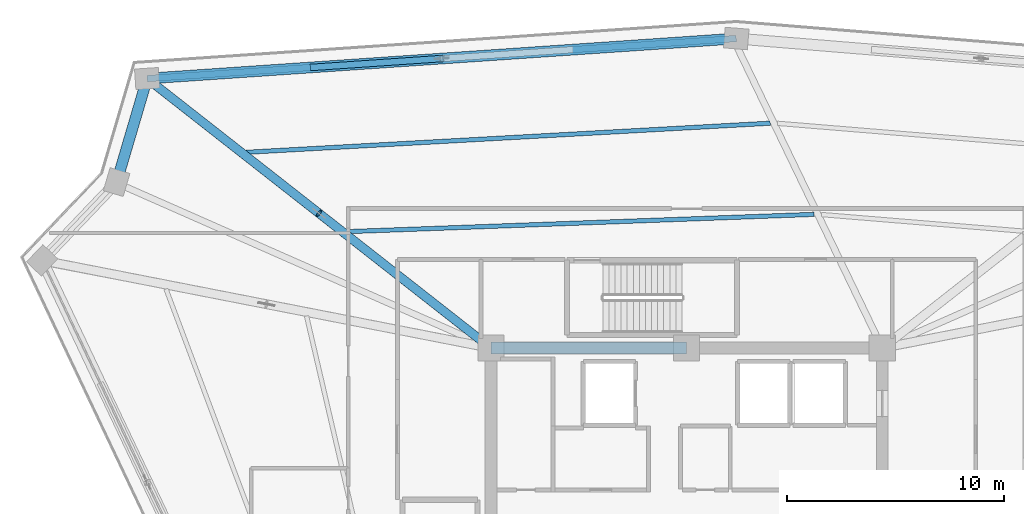
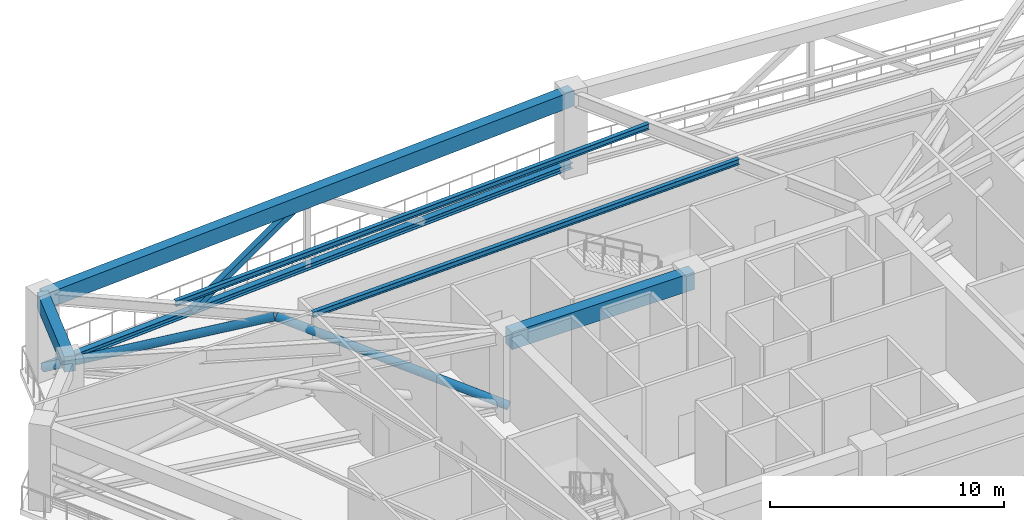
# One storey, part 7 of 22: 5 beams, 4 members.
"""IFC4 building model written with IfcOpenShell, lengths in metres."""

from ifc_helpers import new_model, si_unit, direction, frame, origin, origin_2d, place, context, subcontext, project, spatial, rectangle, hollow_rectangle, hollow_circle, i_section, extrude, source, transform, mapped, material, material_profile, profile_set, type_object, element, save


model = new_model("IFC4")

# Units and contexts
model_context = context("Model", 3, precision=1e-05, world=origin(), true_north=direction((0.0, 1.0)))
body_context = subcontext(model_context, "Body", "Model", "MODEL_VIEW")
ifc_project = project(units=[si_unit("LENGTHUNIT", "METRE"), si_unit("AREAUNIT", "SQUARE_METRE"), si_unit("VOLUMEUNIT", "CUBIC_METRE"), si_unit("PLANEANGLEUNIT", "RADIAN"), si_unit("MASSUNIT", "GRAM", prefix="KILO")], contexts=[model_context])

# Site, building, storey
site_placement = place(None, origin())
site = spatial("IfcSite", under=ifc_project, at=site_placement, CompositionType="ELEMENT")
building_placement = place(site_placement, origin())
building = spatial("IfcBuilding", under=site, at=building_placement, Name="Liaohun Quay Tower", CompositionType="ELEMENT")
storey_placement = place(building_placement, frame((0.0, 0.0, 324.0)))
storey = spatial("IfcBuildingStorey", under=building, at=storey_placement, Name="L84", CompositionType="ELEMENT", Elevation=324.0)

# Beams
ifc_material_1 = material(Name="Concrete C55", Category="concrete")
ifc_material_profile_1 = material_profile(ifc_material_1, rectangle(XDim=0.550048828125, YDim=0.89990234375, at=origin_2d()), Name="RC550x900")
ifc_profile_set_1 = profile_set([ifc_material_profile_1], Name="Concrete C55")
beam_type_1 = type_object("IfcBeamType", Name="BM-CPL-2", PredefinedType="LINTEL", material=ifc_profile_set_1)
shared_shape_1 = source(origin(), body_context, "Body", "SweptSolid", [
    extrude(rectangle(XDim=0.550048828125, YDim=0.89990234375, at=origin_2d()), origin(), (0.0, 0.0, 1.0), 9.0),
])
beam_1_placement = place(storey_placement, frame((60.0, 61.5, 3.8701171875), z_axis=(-1.0, 0.0, 0.0), x_axis=(0.0, -1.0, 0.0)))
element("IfcBeam", 1, at=beam_1_placement, inside=storey, type_object=beam_type_1, Name="L84 Core Coupling/Ring Beam CC5-CC6", PredefinedType="LINTEL", context=body_context, shape_type="MappedRepresentation", body=[
    mapped(shared_shape_1, transform((0.0, 0.0, 0.0), x_axis=(1.0, 0.0, 0.0), y_axis=(0.0, 1.0, 0.0), z_axis=(0.0, 0.0, 1.0), scale=1.0)),
])
ifc_material_2 = material(Name="Precast concrete C50", Category="concrete")
ifc_material_profile_2 = material_profile(ifc_material_2, rectangle(XDim=0.5, YDim=0.800048828125, at=origin_2d()), Name="RC500x800")
ifc_profile_set_2 = profile_set([ifc_material_profile_2], Name="Precast concrete C50")
beam_type_2 = type_object("IfcBeamType", Name="BM-SPD-Z4", PredefinedType="SPANDREL", material=ifc_profile_set_2)
shared_shape_2 = source(origin(), body_context, "Body", "SweptSolid", [
    extrude(rectangle(XDim=0.5, YDim=0.800048828125, at=origin_2d()), origin(), (0.0, 0.0, 1.0), 4.961669921875),
])
beam_2_placement = place(storey_placement, frame((33.7900390625, 69.132080078125, 3.919921875), z_axis=(0.282789650998, 0.959181950043, 0.0), x_axis=(-0.959181950043, 0.282789650998, 0.0)))
element("IfcBeam", 2, at=beam_2_placement, inside=storey, type_object=beam_type_2, Name="L84 Precast Spandrel Beam PC04-PC05", PredefinedType="SPANDREL", context=body_context, shape_type="MappedRepresentation", body=[
    mapped(shared_shape_2, transform((0.0, 0.0, 0.0), x_axis=(1.0, 0.0, 0.0), y_axis=(0.0, 1.0, 0.0), z_axis=(0.0, 0.0, 1.0), scale=1.0)),
])
shared_shape_3 = source(origin(), body_context, "Body", "SweptSolid", [
    extrude(rectangle(XDim=0.5, YDim=0.800048828125, at=origin_2d()), origin(), (0.0, 0.0, 1.0), 27.154296875),
])
beam_3_placement = place(storey_placement, frame((35.193115234375, 73.89111328125, 3.919921875), z_axis=(0.997694662822, 0.067862801123, 0.0), x_axis=(-0.067862801123, 0.997694662822, 0.0)))
element("IfcBeam", 3, at=beam_3_placement, inside=storey, type_object=beam_type_2, Name="L84 Precast Spandrel Beam PC05-PC06", PredefinedType="SPANDREL", context=body_context, shape_type="MappedRepresentation", body=[
    mapped(shared_shape_3, transform((0.0, 0.0, 0.0), x_axis=(1.0, 0.0, 0.0), y_axis=(0.0, 1.0, 0.0), z_axis=(0.0, 0.0, 1.0), scale=1.0)),
])
ifc_material_3 = material(Name="Steel Q355D", Category="steel")
ifc_material_profile_3 = material_profile(ifc_material_3, i_section(OverallWidth=0.199951171875, OverallDepth=0.2939453125, WebThickness=0.008056640625, FlangeThickness=0.011962890625, at=origin_2d()), Name="HM294x200x8x12")
ifc_profile_set_3 = profile_set([ifc_material_profile_3], Name="Steel Q355D")
beam_type_3 = type_object("IfcBeamType", Name="BM-SEC-J4", PredefinedType="JOIST", material=ifc_profile_set_3)
shared_shape_4 = source(origin(), body_context, "Body", "SweptSolid", [
    extrude(i_section(OverallWidth=0.199951171875, OverallDepth=0.2939453125, WebThickness=0.008056640625, FlangeThickness=0.011962890625, at=origin_2d()), origin(), (0.0, 0.0, 1.0), 21.474853515625),
])
beam_4_placement = place(storey_placement, frame((44.409912109375, 66.85302734375, 4.173095703125), z_axis=(0.999316343564, 0.036970873474, 0.0), x_axis=(-0.036970873474, 0.999316343564, 0.0)))
element("IfcBeam", 4, at=beam_4_placement, inside=storey, type_object=beam_type_3, Name="L84 Wing Secondary Floor Joist SJ-06", PredefinedType="JOIST", context=body_context, shape_type="MappedRepresentation", body=[
    mapped(shared_shape_4, transform((0.0, 0.0, 0.0), x_axis=(1.0, 0.0, 0.0), y_axis=(0.0, 1.0, 0.0), z_axis=(0.0, 0.0, 1.0), scale=1.0)),
])
shared_shape_5 = source(origin(), body_context, "Body", "SweptSolid", [
    extrude(i_section(OverallWidth=0.199951171875, OverallDepth=0.2939453125, WebThickness=0.008056640625, FlangeThickness=0.011962890625, at=origin_2d()), origin(), (0.0, 0.0, 1.0), 24.13330078125),
])
beam_5_placement = place(storey_placement, frame((39.7529296875, 70.5009765625, 4.173095703125), z_axis=(0.998459356977, 0.055487948824, 0.0), x_axis=(-0.055487948824, 0.998459356977, 0.0)))
element("IfcBeam", 5, at=beam_5_placement, inside=storey, type_object=beam_type_3, Name="L84 Wing Secondary Floor Joist SJ-07", PredefinedType="JOIST", context=body_context, shape_type="MappedRepresentation", body=[
    mapped(shared_shape_5, transform((0.0, 0.0, 0.0), x_axis=(1.0, 0.0, 0.0), y_axis=(0.0, 1.0, 0.0), z_axis=(0.0, 0.0, 1.0), scale=1.0)),
])

# Members
ifc_material_4 = material(Name="Steel Q420D", Category="steel")
ifc_material_profile_4 = material_profile(ifc_material_4, hollow_circle(Radius=0.202880859375, WallThickness=0.01611328125, at=origin_2d()), Name="CHS406x16")
ifc_profile_set_4 = profile_set([ifc_material_profile_4], Name="Steel Q420D")
member_type_1 = type_object("IfcMemberType", Name="MEM-OUT-DG2", PredefinedType="BRACE", material=ifc_profile_set_4)
shared_shape_6 = source(origin(), body_context, "Body", "SweptSolid", [
    extrude(hollow_circle(Radius=0.202880859375, WallThickness=0.01611328125, at=origin_2d()), origin(), (0.0, 0.0, 1.0), 10.692626953125),
])
member_1_placement = place(storey_placement, frame((51.0, 61.5, 0.35009765625), z_axis=(-0.739202397778, 0.579466182339, 0.343218237634), x_axis=(-0.616941895312, -0.787008702499, 0.0)))
element("IfcMember", 6, at=member_1_placement, inside=storey, type_object=member_type_1, Name="L84 Outrigger Diagonal OD-03A", PredefinedType="BRACE", context=body_context, shape_type="MappedRepresentation", body=[
    mapped(shared_shape_6, transform((0.0, 0.0, 0.0), x_axis=(1.0, 0.0, 0.0), y_axis=(0.0, 1.0, 0.0), z_axis=(0.0, 0.0, 1.0), scale=1.0)),
])
shared_shape_7 = source(origin(), body_context, "Body", "SweptSolid", [
    extrude(hollow_circle(Radius=0.202880859375, WallThickness=0.01611328125, at=origin_2d()), origin(), (0.0, 0.0, 1.0), 10.691162109375),
])
member_2_placement = place(storey_placement, frame((43.095947265625, 67.696044921875, 4.02001953125), z_axis=(-0.739189733846, 0.579454417558, -0.343265371615), x_axis=(-0.616940683613, -0.787009652357, 0.0)))
element("IfcMember", 7, at=member_2_placement, inside=storey, type_object=member_type_1, Name="L84 Outrigger Diagonal OD-03B", PredefinedType="BRACE", context=body_context, shape_type="MappedRepresentation", body=[
    mapped(shared_shape_7, transform((0.0, 0.0, 0.0), x_axis=(1.0, 0.0, 0.0), y_axis=(0.0, 1.0, 0.0), z_axis=(0.0, 0.0, 1.0), scale=1.0)),
])
ifc_material_profile_5 = material_profile(ifc_material_3, i_section(OverallWidth=0.300048828125, OverallDepth=0.300048828125, WebThickness=0.010009765625, FlangeThickness=0.014892578125, at=origin_2d()), Name="HW300x300x10x15")
ifc_profile_set_5 = profile_set([ifc_material_profile_5], Name="Steel Q355D")
member_type_2 = type_object("IfcMemberType", Name="MEM-BLT-CHD", PredefinedType="CHORD", material=ifc_profile_set_5)
shared_shape_8 = source(origin(), body_context, "Body", "SweptSolid", [
    extrude(i_section(OverallWidth=0.300048828125, OverallDepth=0.300048828125, WebThickness=0.010009765625, FlangeThickness=0.014892578125, at=origin_2d()), origin(), (0.0, 0.0, 1.0), 27.154296875),
])
member_3_placement = place(storey_placement, frame((35.193115234375, 73.89111328125, 0.35009765625), z_axis=(0.997694662822, 0.067862801123, 0.0), x_axis=(-0.067862801123, 0.997694662822, 0.0)))
element("IfcMember", 8, at=member_3_placement, inside=storey, type_object=member_type_2, Name="L84 Belt Truss Bottom Chord BC-1-03", PredefinedType="CHORD", context=body_context, shape_type="MappedRepresentation", body=[
    mapped(shared_shape_8, transform((0.0, 0.0, 0.0), x_axis=(1.0, 0.0, 0.0), y_axis=(0.0, 1.0, 0.0), z_axis=(0.0, 0.0, 1.0), scale=1.0)),
])
ifc_material_profile_6 = material_profile(ifc_material_3, hollow_rectangle(XDim=0.300048828125, YDim=0.300048828125, WallThickness=0.013916015625, at=origin_2d()), Name="SHS300x300x14")
ifc_profile_set_6 = profile_set([ifc_material_profile_6], Name="Steel Q355D")
member_type_3 = type_object("IfcMemberType", Name="MEM-BLT-DG3", PredefinedType="BRACE", material=ifc_profile_set_6)
shared_shape_9 = source(origin(), body_context, "Body", "SweptSolid", [
    extrude(hollow_rectangle(XDim=0.300048828125, YDim=0.300048828125, WallThickness=0.013916015625, at=origin_2d()), origin(), (0.0, 0.0, 1.0), 7.010986328125),
])
member_4_placement = place(storey_placement, frame((42.779052734375, 74.406982421875, 0.35009765625), z_axis=(0.850092426114, 0.057770905084, 0.523455241248), x_axis=(-0.067801995091, 0.997698796963, 0.0)))
element("IfcMember", 9, at=member_4_placement, inside=storey, type_object=member_type_3, Name="L84 Belt Truss Diagonal BD-03A", PredefinedType="BRACE", context=body_context, shape_type="MappedRepresentation", body=[
    mapped(shared_shape_9, transform((0.0, 0.0, 0.0), x_axis=(1.0, 0.0, 0.0), y_axis=(0.0, 1.0, 0.0), z_axis=(0.0, 0.0, 1.0), scale=1.0)),
])

save(model, "model.ifc")
